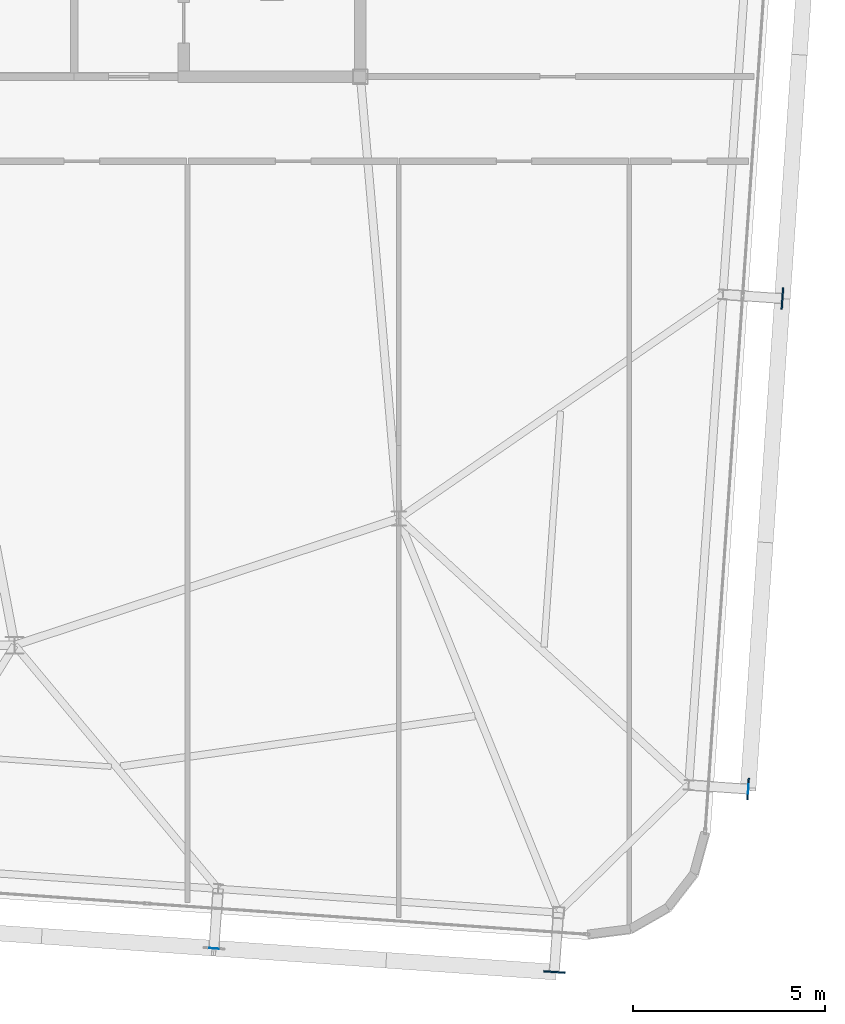
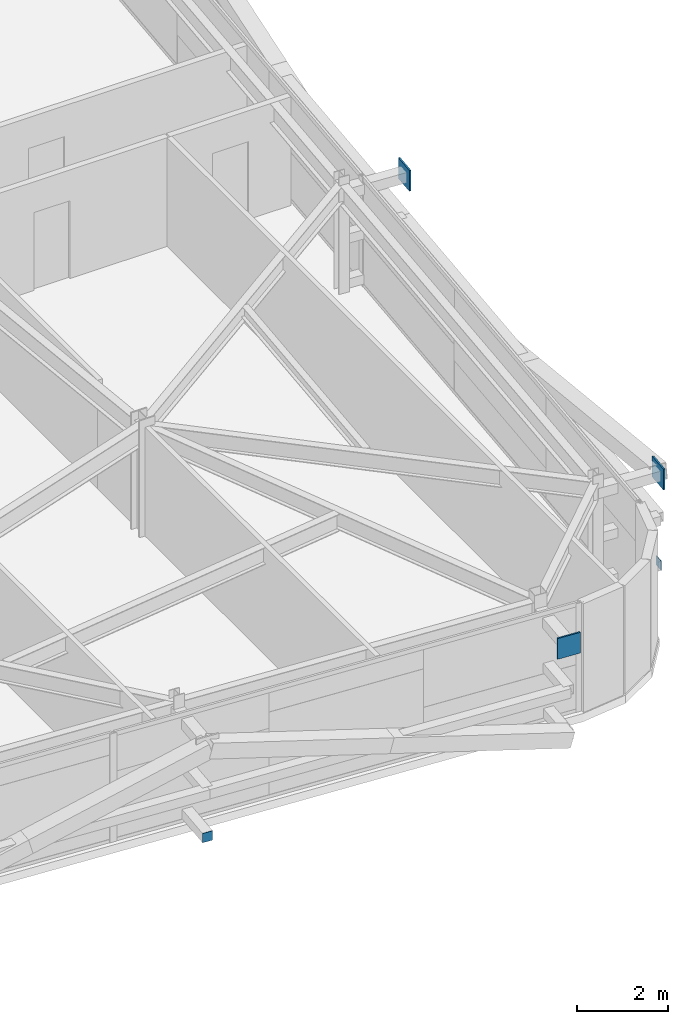
# One storey, part 30 of 39: 5 plates.
"""IFC4 building model written with IfcOpenShell, lengths in metres."""

from ifc_helpers import new_model, si_unit, direction, frame, origin, origin_2d, place, context, subcontext, project, spatial, rectangle, extrude, source, transform, mapped, material, layer, layer_set, type_object, element, save


model = new_model("IFC4")

# Units and contexts
model_context = context("Model", 3, precision=1e-05, world=origin(), true_north=direction((0.0, 1.0)))
body_context = subcontext(model_context, "Body", "Model", "MODEL_VIEW")
ifc_project = project(units=[si_unit("LENGTHUNIT", "METRE"), si_unit("AREAUNIT", "SQUARE_METRE"), si_unit("VOLUMEUNIT", "CUBIC_METRE"), si_unit("PLANEANGLEUNIT", "RADIAN"), si_unit("MASSUNIT", "GRAM", prefix="KILO")], contexts=[model_context])

# Site, building, storey
site_placement = place(None, origin())
site = spatial("IfcSite", under=ifc_project, at=site_placement, CompositionType="ELEMENT")
building_placement = place(site_placement, origin())
building = spatial("IfcBuilding", under=site, at=building_placement, Name="Taldren Reach Tower", CompositionType="ELEMENT")
storey_placement = place(building_placement, frame((0.0, 0.0, 123.550048828125)))
storey = spatial("IfcBuildingStorey", under=building, at=storey_placement, Name="L37", CompositionType="ELEMENT", Elevation=123.550048828125)

# Plates
ifc_material_1 = material(Name="Steel Gr 450 (C450L0)", Category="steel")
ifc_layer_1 = layer(ifc_material_1, 0.0400390625)
ifc_layer_set_1 = layer_set([ifc_layer_1], Name="Steel Gr 450 (C450L0)")
plate_type_1 = type_object("IfcPlateType", Name="PL-GUSSET-40", PredefinedType="SHEET", material=ifc_layer_set_1)
shared_shape_1 = source(origin(), body_context, "Body", "SweptSolid", [
    extrude(rectangle(XDim=0.56005859375, YDim=0.0400390625, at=origin_2d()), origin(), (0.0, 0.0, 1.0), 0.56005859375),
])
for number, where, z_axis, x_axis, name in (
    (1, (56.04736328125, 0.695068359375, 2.369873046875), (0.0, 0.0, 1.0), (0.99756405026, -0.069756473744, 0.0), "Exoskeleton star-node gusset plate B3-S6 L37"),
    (2, (61.091552734375, 5.454833984375, 2.369873046875), (0.0, 0.0, 1.0), (0.069756473744, 0.99756405026, 0.0), "Exoskeleton star-node gusset plate B3-E1 L37"),
    (3, (61.984375, 18.2236328125, 2.369873046875), (0.0, 0.0, 1.0), (0.069756473744, 0.99756405026, 0.0), "Exoskeleton star-node gusset plate B3-E2 L37"),
):
    element("IfcPlate", number, at=place(storey_placement, frame(where, z_axis=z_axis, x_axis=x_axis)), inside=storey, type_object=plate_type_1, Name=name, PredefinedType="SHEET", context=body_context, shape_type="MappedRepresentation", body=[
        mapped(shared_shape_1, transform((0.0, 0.0, 0.0), scale=1.0)),
    ])
ifc_material_2 = material(Name="Steel Gr 350 (C350L0)", Category="steel")
ifc_layer_2 = layer(ifc_material_2, 0.011962890625)
ifc_layer_set_2 = layer_set([ifc_layer_2], Name="Steel Gr 350 (C350L0)")
plate_type_2 = type_object("IfcPlateType", Name="PL-CAP-250", PredefinedType="SHEET", material=ifc_layer_set_2)
shared_shape_2 = source(origin(), body_context, "Body", "SweptSolid", [
    extrude(rectangle(XDim=0.25, YDim=0.011962890625, at=origin_2d()), origin(), (0.0, 0.0, 1.0), 0.25),
])
plate_1_placement = place(storey_placement, frame((47.1884765625, 1.308349609375, 0.094970703125), z_axis=(0.0, 0.0, 1.0), x_axis=(0.99756405026, -0.069756473744, 0.0)))
element("IfcPlate", 4, at=plate_1_placement, inside=storey, type_object=plate_type_2, Name="Tie strut end cap plate B3-S5 L37", PredefinedType="SHEET", context=body_context, shape_type="MappedRepresentation", body=[
    mapped(shared_shape_2, transform((0.0, 0.0, 0.0), scale=1.0)),
])
shared_shape_3 = source(origin(), body_context, "Body", "SweptSolid", [
    extrude(rectangle(XDim=0.011962890625, YDim=0.25, at=origin_2d()), origin(), (0.0, 0.0, 1.0), 0.25),
])
plate_2_placement = place(storey_placement, frame((61.09765625, 5.454345703125, 0.094970703125), z_axis=(0.0, 0.0, 1.0), x_axis=(0.99756405026, -0.069756473744, 0.0)))
element("IfcPlate", 5, at=plate_2_placement, inside=storey, type_object=plate_type_2, Name="Tie strut end cap plate B3-E1 L37", PredefinedType="SHEET", context=body_context, shape_type="MappedRepresentation", body=[
    mapped(shared_shape_3, transform((0.0, 0.0, 0.0), scale=1.0)),
])

save(model, "model.ifc")
